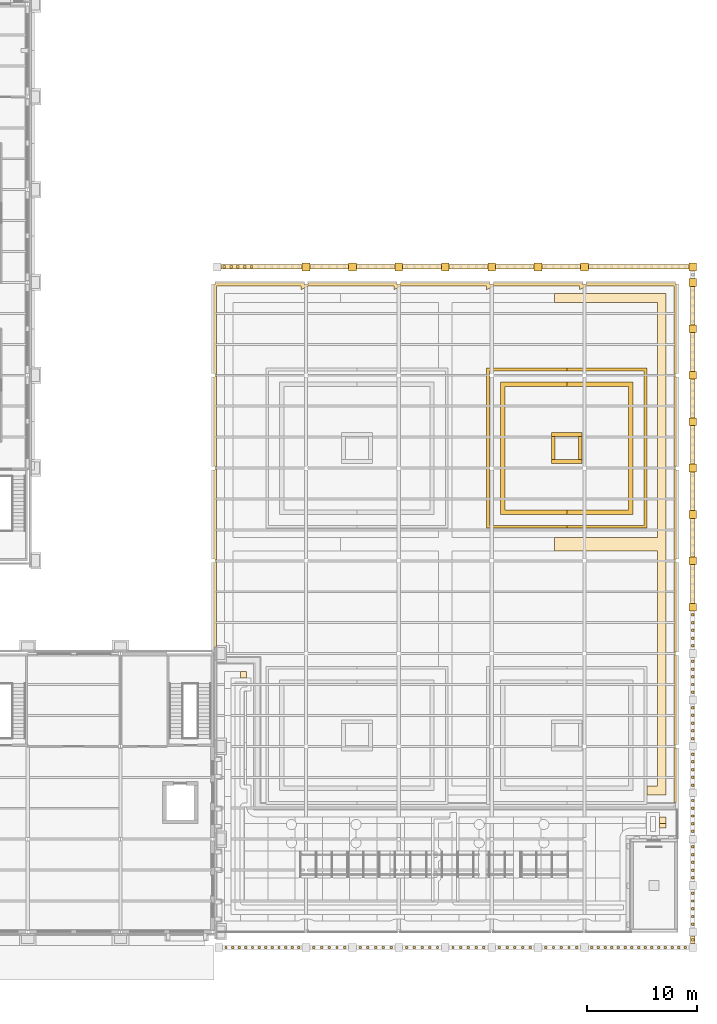
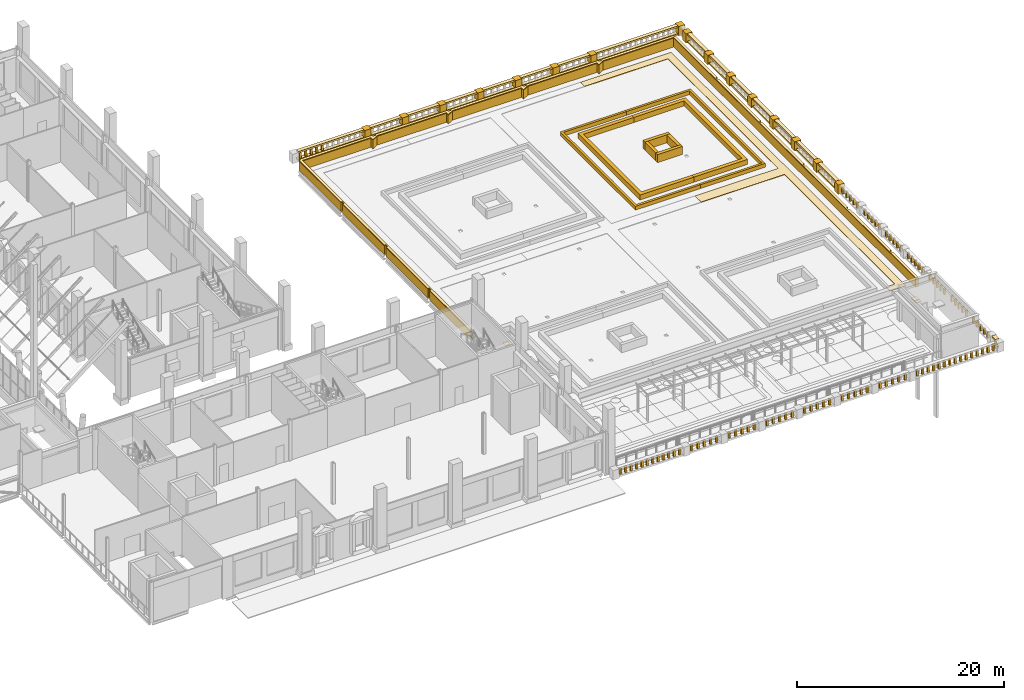
# One storey, part 74 of 76: 160 coverings.
"""IFC4 building model written with IfcOpenShell, lengths in metres."""

from ifc_helpers import new_model, si_unit, direction, frame, origin, origin_2d, place, context, subcontext, project, spatial, polyline, rectangle, outline, extrude, material, layer, layer_set, type_object, element, save


model = new_model("IFC4")

# Units and contexts
model_context = context("Model", 3, precision=1e-05, world=origin(), true_north=direction((0.0, 1.0)))
body_context = subcontext(model_context, "Body", "Model", "MODEL_VIEW")
ifc_project = project(units=[si_unit("LENGTHUNIT", "METRE"), si_unit("AREAUNIT", "SQUARE_METRE"), si_unit("VOLUMEUNIT", "CUBIC_METRE"), si_unit("PLANEANGLEUNIT", "RADIAN"), si_unit("MASSUNIT", "GRAM", prefix="KILO")], contexts=[model_context])

# Site, building, storey
site_placement = place(None, origin())
site = spatial("IfcSite", under=ifc_project, at=site_placement, CompositionType="ELEMENT")
building_placement = place(site_placement, origin())
building = spatial("IfcBuilding", under=site, at=building_placement, Name="Sava Quay Ferry Terminal", CompositionType="ELEMENT")
storey_placement = place(building_placement, frame((0.0, 0.0, 6.0)))
storey = spatial("IfcBuildingStorey", under=building, at=storey_placement, Name="L01", CompositionType="ELEMENT", Elevation=6.0)

# Coverings
ifc_material_1 = material(Name="Limestone Mutalj", Category="masonry")
ifc_layer_1 = layer(ifc_material_1, 0.219970703125)
ifc_layer_set_1 = layer_set([ifc_layer_1], Name="Limestone Mutalj")
covering_type_1 = type_object("IfcCoveringType", Name="Baluster 220", PredefinedType="MOLDING", material=ifc_layer_set_1)
for number, where, z_axis, x_axis, name in (
    (1, (127.14990234375, 23.7900390625, 0.2001953125), (0.0, 0.0, 1.0), (1.0, 0.0, 0.0), "Baluster"),
    (2, (127.75, 23.7900390625, 0.2001953125), (0.0, 0.0, 1.0), (1.0, 0.0, 0.0), "Baluster"),
    (3, (128.35009765625, 23.7900390625, 0.2001953125), (0.0, 0.0, 1.0), (1.0, 0.0, 0.0), "Baluster"),
    (4, (128.949951171875, 23.7900390625, 0.2001953125), (0.0, 0.0, 1.0), (1.0, 0.0, 0.0), "Baluster"),
    (5, (129.550048828125, 23.7900390625, 0.2001953125), (0.0, 0.0, 1.0), (1.0, 0.0, 0.0), "Baluster"),
    (6, (130.14990234375, 23.7900390625, 0.2001953125), (0.0, 0.0, 1.0), (1.0, 0.0, 0.0), "Baluster"),
    (7, (130.75, 23.7900390625, 0.2001953125), (0.0, 0.0, 1.0), (1.0, 0.0, 0.0), "Baluster"),
    (8, (131.35009765625, 23.7900390625, 0.2001953125), (0.0, 0.0, 1.0), (1.0, 0.0, 0.0), "Baluster"),
    (9, (131.949951171875, 23.7900390625, 0.2001953125), (0.0, 0.0, 1.0), (1.0, 0.0, 0.0), "Baluster"),
    (10, (132.550048828125, 23.7900390625, 0.2001953125), (0.0, 0.0, 1.0), (1.0, 0.0, 0.0), "Baluster"),
    (11, (133.14990234375, 23.7900390625, 0.2001953125), (0.0, 0.0, 1.0), (1.0, 0.0, 0.0), "Baluster"),
    (12, (133.75, 23.7900390625, 0.2001953125), (0.0, 0.0, 1.0), (1.0, 0.0, 0.0), "Baluster"),
    (13, (135.10009765625, 23.7900390625, 0.2001953125), (0.0, 0.0, 1.0), (1.0, 0.0, 0.0), "Baluster"),
    (14, (135.800048828125, 23.7900390625, 0.2001953125), (0.0, 0.0, 1.0), (1.0, 0.0, 0.0), "Baluster"),
    (15, (136.5, 23.7900390625, 0.2001953125), (0.0, 0.0, 1.0), (1.0, 0.0, 0.0), "Baluster"),
    (16, (137.199951171875, 23.7900390625, 0.2001953125), (0.0, 0.0, 1.0), (1.0, 0.0, 0.0), "Baluster"),
    (17, (137.89990234375, 23.7900390625, 0.2001953125), (0.0, 0.0, 1.0), (1.0, 0.0, 0.0), "Baluster"),
    (18, (139.300048828125, 23.7900390625, 0.2001953125), (0.0, 0.0, 1.0), (1.0, 0.0, 0.0), "Baluster"),
    (19, (140.0, 23.7900390625, 0.2001953125), (0.0, 0.0, 1.0), (1.0, 0.0, 0.0), "Baluster"),
    (20, (140.699951171875, 23.7900390625, 0.2001953125), (0.0, 0.0, 1.0), (1.0, 0.0, 0.0), "Baluster"),
    (21, (141.39990234375, 23.7900390625, 0.2001953125), (0.0, 0.0, 1.0), (1.0, 0.0, 0.0), "Baluster"),
    (22, (142.10009765625, 23.7900390625, 0.2001953125), (0.0, 0.0, 1.0), (1.0, 0.0, 0.0), "Baluster"),
    (23, (143.5, 23.7900390625, 0.2001953125), (0.0, 0.0, 1.0), (1.0, 0.0, 0.0), "Baluster"),
    (24, (144.199951171875, 23.7900390625, 0.2001953125), (0.0, 0.0, 1.0), (1.0, 0.0, 0.0), "Baluster"),
    (25, (144.89990234375, 23.7900390625, 0.2001953125), (0.0, 0.0, 1.0), (1.0, 0.0, 0.0), "Baluster"),
    (26, (145.60009765625, 23.7900390625, 0.2001953125), (0.0, 0.0, 1.0), (1.0, 0.0, 0.0), "Baluster"),
    (27, (146.300048828125, 23.7900390625, 0.2001953125), (0.0, 0.0, 1.0), (1.0, 0.0, 0.0), "Baluster"),
    (28, (147.699951171875, 23.7900390625, 0.2001953125), (0.0, 0.0, 1.0), (1.0, 0.0, 0.0), "Baluster"),
    (29, (148.39990234375, 23.7900390625, 0.2001953125), (0.0, 0.0, 1.0), (1.0, 0.0, 0.0), "Baluster"),
    (30, (149.10009765625, 23.7900390625, 0.2001953125), (0.0, 0.0, 1.0), (1.0, 0.0, 0.0), "Baluster"),
    (31, (149.800048828125, 23.7900390625, 0.2001953125), (0.0, 0.0, 1.0), (1.0, 0.0, 0.0), "Baluster"),
    (32, (150.5, 23.7900390625, 0.2001953125), (0.0, 0.0, 1.0), (1.0, 0.0, 0.0), "Baluster"),
    (33, (151.89990234375, 23.7900390625, 0.2001953125), (0.0, 0.0, 1.0), (1.0, 0.0, 0.0), "Baluster"),
    (34, (152.60009765625, 23.7900390625, 0.2001953125), (0.0, 0.0, 1.0), (1.0, 0.0, 0.0), "Baluster"),
    (35, (153.300048828125, 23.7900390625, 0.2001953125), (0.0, 0.0, 1.0), (1.0, 0.0, 0.0), "Baluster"),
    (36, (154.0, 23.7900390625, 0.2001953125), (0.0, 0.0, 1.0), (1.0, 0.0, 0.0), "Baluster"),
    (37, (154.699951171875, 23.7900390625, 0.2001953125), (0.0, 0.0, 1.0), (1.0, 0.0, 0.0), "Baluster"),
    (38, (156.10009765625, 23.7900390625, 0.2001953125), (0.0, 0.0, 1.0), (1.0, 0.0, 0.0), "Baluster"),
    (39, (156.800048828125, 23.7900390625, 0.2001953125), (0.0, 0.0, 1.0), (1.0, 0.0, 0.0), "Baluster"),
    (40, (157.5, 23.7900390625, 0.2001953125), (0.0, 0.0, 1.0), (1.0, 0.0, 0.0), "Baluster"),
    (41, (158.199951171875, 23.7900390625, 0.2001953125), (0.0, 0.0, 1.0), (1.0, 0.0, 0.0), "Baluster"),
    (42, (158.89990234375, 23.7900390625, 0.2001953125), (0.0, 0.0, 1.0), (1.0, 0.0, 0.0), "Baluster"),
    (43, (160.25341796875, 23.7900390625, 0.2001953125), (0.0, 0.0, 1.0), (1.0, 0.0, 0.0), "Baluster"),
    (44, (160.860107421875, 23.7900390625, 0.2001953125), (0.0, 0.0, 1.0), (1.0, 0.0, 0.0), "Baluster"),
    (45, (161.466796875, 23.7900390625, 0.2001953125), (0.0, 0.0, 1.0), (1.0, 0.0, 0.0), "Baluster"),
    (46, (162.0732421875, 23.7900390625, 0.2001953125), (0.0, 0.0, 1.0), (1.0, 0.0, 0.0), "Baluster"),
    (47, (162.679931640625, 23.7900390625, 0.2001953125), (0.0, 0.0, 1.0), (1.0, 0.0, 0.0), "Baluster"),
    (48, (163.28662109375, 23.7900390625, 0.2001953125), (0.0, 0.0, 1.0), (1.0, 0.0, 0.0), "Baluster"),
    (49, (163.893310546875, 23.7900390625, 0.2001953125), (0.0, 0.0, 1.0), (1.0, 0.0, 0.0), "Baluster"),
    (50, (164.5, 23.7900390625, 0.2001953125), (0.0, 0.0, 1.0), (1.0, 0.0, 0.0), "Baluster"),
    (51, (165.106689453125, 23.7900390625, 0.2001953125), (0.0, 0.0, 1.0), (1.0, 0.0, 0.0), "Baluster"),
    (52, (165.71337890625, 23.7900390625, 0.2001953125), (0.0, 0.0, 1.0), (1.0, 0.0, 0.0), "Baluster"),
    (53, (166.320068359375, 23.7900390625, 0.2001953125), (0.0, 0.0, 1.0), (1.0, 0.0, 0.0), "Baluster"),
    (54, (166.9267578125, 23.7900390625, 0.2001953125), (0.0, 0.0, 1.0), (1.0, 0.0, 0.0), "Baluster"),
    (55, (167.533203125, 23.7900390625, 0.2001953125), (0.0, 0.0, 1.0), (1.0, 0.0, 0.0), "Baluster"),
    (56, (168.139892578125, 23.7900390625, 0.2001953125), (0.0, 0.0, 1.0), (1.0, 0.0, 0.0), "Baluster"),
    (57, (168.74658203125, 23.7900390625, 0.2001953125), (0.0, 0.0, 1.0), (1.0, 0.0, 0.0), "Baluster"),
    (58, (169.39990234375, 24.4951171875, 0.2001953125), (0.0, 0.0, 1.0), (1.0, 0.0, 0.0), "Baluster"),
    (59, (169.39990234375, 25.89990234375, 0.2001953125), (0.0, 0.0, 1.0), (1.0, 0.0, 0.0), "Baluster"),
    (60, (169.39990234375, 26.60009765625, 0.2001953125), (0.0, 0.0, 1.0), (1.0, 0.0, 0.0), "Baluster"),
    (61, (169.39990234375, 27.300048828125, 0.2001953125), (0.0, 0.0, 1.0), (1.0, 0.0, 0.0), "Baluster"),
    (62, (169.39990234375, 28.0, 0.2001953125), (0.0, 0.0, 1.0), (1.0, 0.0, 0.0), "Baluster"),
    (63, (169.39990234375, 28.699951171875, 0.2001953125), (0.0, 0.0, 1.0), (1.0, 0.0, 0.0), "Baluster"),
    (64, (169.39990234375, 30.10009765625, 0.2001953125), (0.0, 0.0, 1.0), (1.0, 0.0, 0.0), "Baluster"),
    (65, (169.39990234375, 30.800048828125, 0.2001953125), (0.0, 0.0, 1.0), (1.0, 0.0, 0.0), "Baluster"),
    (66, (169.39990234375, 31.5, 0.2001953125), (0.0, 0.0, 1.0), (1.0, 0.0, 0.0), "Baluster"),
    (67, (169.39990234375, 32.199951171875, 0.2001953125), (0.0, 0.0, 1.0), (1.0, 0.0, 0.0), "Baluster"),
    (68, (169.39990234375, 32.89990234375, 0.2001953125), (0.0, 0.0, 1.0), (1.0, 0.0, 0.0), "Baluster"),
    (69, (169.39990234375, 34.300048828125, 0.2001953125), (0.0, 0.0, 1.0), (1.0, 0.0, 0.0), "Baluster"),
    (70, (169.39990234375, 35.0, 0.2001953125), (0.0, 0.0, 1.0), (1.0, 0.0, 0.0), "Baluster"),
    (71, (169.39990234375, 35.699951171875, 0.2001953125), (0.0, 0.0, 1.0), (1.0, 0.0, 0.0), "Baluster"),
    (72, (169.39990234375, 36.39990234375, 0.2001953125), (0.0, 0.0, 1.0), (1.0, 0.0, 0.0), "Baluster"),
    (73, (169.39990234375, 37.10009765625, 0.2001953125), (0.0, 0.0, 1.0), (1.0, 0.0, 0.0), "Baluster"),
    (74, (169.39990234375, 38.5, 0.2001953125), (0.0, 0.0, 1.0), (1.0, 0.0, 0.0), "Baluster"),
    (75, (169.39990234375, 39.199951171875, 0.2001953125), (0.0, 0.0, 1.0), (1.0, 0.0, 0.0), "Baluster"),
    (76, (169.39990234375, 39.89990234375, 0.2001953125), (0.0, 0.0, 1.0), (1.0, 0.0, 0.0), "Baluster"),
    (77, (169.39990234375, 40.60009765625, 0.2001953125), (0.0, 0.0, 1.0), (1.0, 0.0, 0.0), "Baluster"),
    (78, (169.39990234375, 41.300048828125, 0.2001953125), (0.0, 0.0, 1.0), (1.0, 0.0, 0.0), "Baluster"),
    (79, (169.39990234375, 42.699951171875, 0.2001953125), (0.0, 0.0, 1.0), (1.0, 0.0, 0.0), "Baluster"),
    (80, (169.39990234375, 43.39990234375, 0.2001953125), (0.0, 0.0, 1.0), (1.0, 0.0, 0.0), "Baluster"),
    (81, (169.39990234375, 44.10009765625, 0.2001953125), (0.0, 0.0, 1.0), (1.0, 0.0, 0.0), "Baluster"),
    (82, (169.39990234375, 44.800048828125, 0.2001953125), (0.0, 0.0, 1.0), (1.0, 0.0, 0.0), "Baluster"),
    (83, (169.39990234375, 45.5, 0.2001953125), (0.0, 0.0, 1.0), (1.0, 0.0, 0.0), "Baluster"),
    (84, (169.39990234375, 46.89990234375, 0.2001953125), (0.0, 0.0, 1.0), (1.0, 0.0, 0.0), "Baluster"),
    (85, (169.39990234375, 47.60009765625, 0.2001953125), (0.0, 0.0, 1.0), (1.0, 0.0, 0.0), "Baluster"),
    (86, (169.39990234375, 48.300048828125, 0.2001953125), (0.0, 0.0, 1.0), (1.0, 0.0, 0.0), "Baluster"),
    (87, (169.39990234375, 49.0, 0.2001953125), (0.0, 0.0, 1.0), (1.0, 0.0, 0.0), "Baluster"),
    (88, (169.39990234375, 49.699951171875, 0.2001953125), (0.0, 0.0, 1.0), (1.0, 0.0, 0.0), "Baluster"),
    (89, (169.39990234375, 51.10009765625, 0.2001953125), (0.0, 0.0, 1.0), (1.0, 0.0, 0.0), "Baluster"),
    (90, (169.39990234375, 51.800048828125, 0.2001953125), (0.0, 0.0, 1.0), (1.0, 0.0, 0.0), "Baluster"),
    (91, (169.39990234375, 52.5, 0.2001953125), (0.0, 0.0, 1.0), (1.0, 0.0, 0.0), "Baluster"),
    (92, (169.39990234375, 53.199951171875, 0.2001953125), (0.0, 0.0, 1.0), (1.0, 0.0, 0.0), "Baluster"),
    (93, (169.39990234375, 53.89990234375, 0.2001953125), (0.0, 0.0, 1.0), (1.0, 0.0, 0.0), "Baluster"),
    (94, (127.006103515625, 85.409912109375, 0.2001953125), (0.0, 0.0, 1.0), (1.0, 0.0, 0.0), "Baluster"),
    (95, (127.61865234375, 85.409912109375, 0.2001953125), (0.0, 0.0, 1.0), (1.0, 0.0, 0.0), "Baluster"),
    (96, (128.231201171875, 85.409912109375, 0.2001953125), (0.0, 0.0, 1.0), (1.0, 0.0, 0.0), "Baluster"),
    (97, (128.84375, 85.409912109375, 0.2001953125), (0.0, 0.0, 1.0), (1.0, 0.0, 0.0), "Baluster"),
    (98, (129.456298828125, 85.409912109375, 0.2001953125), (0.0, 0.0, 1.0), (1.0, 0.0, 0.0), "Baluster"),
):
    element("IfcCovering", number, at=place(storey_placement, frame(where, z_axis=z_axis, x_axis=x_axis)), inside=storey, type_object=covering_type_1, Name=name, PredefinedType="MOLDING", context=body_context, shape_type="SweptSolid", body=[
        extrude(rectangle(XDim=0.219970703125, YDim=0.219970703125, at=origin_2d()), origin(), (0.0, 0.0, 1.0), 0.699951171875),
    ])
ifc_material_2 = material(Name="Limestone Mutalj", Category="masonry")
ifc_layer_2 = layer(ifc_material_2, 0.699951171875)
ifc_layer_set_2 = layer_set([ifc_layer_2], Name="Limestone Mutalj")
covering_type_2 = type_object("IfcCoveringType", Name="Balustrade pier 700", PredefinedType="MOLDING", material=ifc_layer_set_2)
for number, where, z_axis, x_axis, name in (
    (99, (169.39990234375, 54.60009765625, 0.0), (0.0, 0.0, 1.0), (1.0, 0.0, 0.0), "Balustrade pier"),
    (100, (169.39990234375, 58.800048828125, 0.0), (0.0, 0.0, 1.0), (1.0, 0.0, 0.0), "Balustrade pier"),
    (101, (169.39990234375, 63.0, 0.0), (0.0, 0.0, 1.0), (1.0, 0.0, 0.0), "Balustrade pier"),
    (102, (169.39990234375, 67.199951171875, 0.0), (0.0, 0.0, 1.0), (1.0, 0.0, 0.0), "Balustrade pier"),
    (103, (169.39990234375, 71.39990234375, 0.0), (0.0, 0.0, 1.0), (1.0, 0.0, 0.0), "Balustrade pier"),
    (104, (169.39990234375, 75.60009765625, 0.0), (0.0, 0.0, 1.0), (1.0, 0.0, 0.0), "Balustrade pier"),
    (105, (169.39990234375, 79.800048828125, 0.0), (0.0, 0.0, 1.0), (1.0, 0.0, 0.0), "Balustrade pier"),
    (106, (169.39990234375, 84.0, 0.0), (0.0, 0.0, 1.0), (1.0, 0.0, 0.0), "Balustrade pier"),
    (107, (169.39990234375, 85.409912109375, 0.0), (0.0, 0.0, 1.0), (1.0, 0.0, 0.0), "Balustrade pier"),
    (108, (134.39990234375, 85.409912109375, 0.0), (0.0, 0.0, 1.0), (1.0, 0.0, 0.0), "Balustrade pier"),
    (109, (138.60009765625, 85.409912109375, 0.0), (0.0, 0.0, 1.0), (1.0, 0.0, 0.0), "Balustrade pier"),
    (110, (142.800048828125, 85.409912109375, 0.0), (0.0, 0.0, 1.0), (1.0, 0.0, 0.0), "Balustrade pier"),
    (111, (147.0, 85.409912109375, 0.0), (0.0, 0.0, 1.0), (1.0, 0.0, 0.0), "Balustrade pier"),
    (112, (151.199951171875, 85.409912109375, 0.0), (0.0, 0.0, 1.0), (1.0, 0.0, 0.0), "Balustrade pier"),
    (113, (155.39990234375, 85.409912109375, 0.0), (0.0, 0.0, 1.0), (1.0, 0.0, 0.0), "Balustrade pier"),
    (114, (159.60009765625, 85.409912109375, 0.0), (0.0, 0.0, 1.0), (1.0, 0.0, 0.0), "Balustrade pier"),
):
    element("IfcCovering", number, at=place(storey_placement, frame(where, z_axis=z_axis, x_axis=x_axis)), inside=storey, type_object=covering_type_2, Name=name, PredefinedType="MOLDING", context=body_context, shape_type="SweptSolid", body=[
        extrude(rectangle(XDim=0.699951171875, YDim=0.699951171875, at=origin_2d()), origin(), (0.0, 0.0, 1.0), 1.10009765625),
    ])
ifc_material_3 = material(Name="Limestone Mutalj", Category="masonry")
ifc_layer_3 = layer(ifc_material_3, 0.39990234375)
ifc_layer_set_3 = layer_set([ifc_layer_3], Name="Limestone Mutalj")
covering_type_3 = type_object("IfcCoveringType", Name="Balustrade rail 400", PredefinedType="MOLDING", material=ifc_layer_set_3)
for number, where, z_axis, x_axis, name in (
    (115, (169.39990234375, 24.4951171875, 0.0), (0.0, 0.0, 1.0), (1.0, 0.0, 0.0), "Balustrade rail"),
    (116, (169.39990234375, 24.4951171875, 0.89990234375), (0.0, 0.0, 1.0), (1.0, 0.0, 0.0), "Balustrade rail"),
):
    element("IfcCovering", number, at=place(storey_placement, frame(where, z_axis=z_axis, x_axis=x_axis)), inside=storey, type_object=covering_type_3, Name=name, PredefinedType="MOLDING", context=body_context, shape_type="SweptSolid", body=[
        extrude(rectangle(XDim=0.39990234375, YDim=0.7099609375, at=origin_2d()), origin(), (0.0, 0.0, 1.0), 0.199951171875),
    ])
for number, where, z_axis, x_axis, name in (
    (117, (169.39990234375, 56.699951171875, 0.0), (0.0, 0.0, 1.0), (1.0, 0.0, 0.0), "Balustrade rail"),
    (118, (169.39990234375, 56.699951171875, 0.89990234375), (0.0, 0.0, 1.0), (1.0, 0.0, 0.0), "Balustrade rail"),
    (119, (169.39990234375, 60.89990234375, 0.0), (0.0, 0.0, 1.0), (1.0, 0.0, 0.0), "Balustrade rail"),
    (120, (169.39990234375, 60.89990234375, 0.89990234375), (0.0, 0.0, 1.0), (1.0, 0.0, 0.0), "Balustrade rail"),
    (121, (169.39990234375, 65.10009765625, 0.0), (0.0, 0.0, 1.0), (1.0, 0.0, 0.0), "Balustrade rail"),
    (122, (169.39990234375, 65.10009765625, 0.89990234375), (0.0, 0.0, 1.0), (1.0, 0.0, 0.0), "Balustrade rail"),
    (123, (169.39990234375, 69.300048828125, 0.0), (0.0, 0.0, 1.0), (1.0, 0.0, 0.0), "Balustrade rail"),
    (124, (169.39990234375, 69.300048828125, 0.89990234375), (0.0, 0.0, 1.0), (1.0, 0.0, 0.0), "Balustrade rail"),
    (125, (169.39990234375, 73.5, 0.0), (0.0, 0.0, 1.0), (1.0, 0.0, 0.0), "Balustrade rail"),
    (126, (169.39990234375, 73.5, 0.89990234375), (0.0, 0.0, 1.0), (1.0, 0.0, 0.0), "Balustrade rail"),
    (127, (169.39990234375, 77.699951171875, 0.0), (0.0, 0.0, 1.0), (1.0, 0.0, 0.0), "Balustrade rail"),
    (128, (169.39990234375, 77.699951171875, 0.89990234375), (0.0, 0.0, 1.0), (1.0, 0.0, 0.0), "Balustrade rail"),
    (129, (169.39990234375, 81.89990234375, 0.0), (0.0, 0.0, 1.0), (1.0, 0.0, 0.0), "Balustrade rail"),
    (130, (169.39990234375, 81.89990234375, 0.89990234375), (0.0, 0.0, 1.0), (1.0, 0.0, 0.0), "Balustrade rail"),
):
    element("IfcCovering", number, at=place(storey_placement, frame(where, z_axis=z_axis, x_axis=x_axis)), inside=storey, type_object=covering_type_3, Name=name, PredefinedType="MOLDING", context=body_context, shape_type="SweptSolid", body=[
        extrude(rectangle(XDim=0.39990234375, YDim=3.5, at=origin_2d()), origin(), (0.0, 0.0, 1.0), 0.199951171875),
    ])
for number, where, z_axis, x_axis, name in (
    (131, (130.375, 85.409912109375, 0.0), (0.0, 0.0, 1.0), (1.0, 0.0, 0.0), "Balustrade rail"),
    (132, (130.375, 85.409912109375, 0.89990234375), (0.0, 0.0, 1.0), (1.0, 0.0, 0.0), "Balustrade rail"),
):
    element("IfcCovering", number, at=place(storey_placement, frame(where, z_axis=z_axis, x_axis=x_axis)), inside=storey, type_object=covering_type_3, Name=name, PredefinedType="MOLDING", context=body_context, shape_type="SweptSolid", body=[
        extrude(rectangle(XDim=7.35009765625, YDim=0.39990234375, at=origin_2d()), origin(), (0.0, 0.0, 1.0), 0.199951171875),
    ])
for number, where, z_axis, x_axis, name in (
    (133, (136.5, 85.409912109375, 0.0), (0.0, 0.0, 1.0), (1.0, 0.0, 0.0), "Balustrade rail"),
    (134, (136.5, 85.409912109375, 0.89990234375), (0.0, 0.0, 1.0), (1.0, 0.0, 0.0), "Balustrade rail"),
    (135, (140.699951171875, 85.409912109375, 0.0), (0.0, 0.0, 1.0), (1.0, 0.0, 0.0), "Balustrade rail"),
    (136, (140.699951171875, 85.409912109375, 0.89990234375), (0.0, 0.0, 1.0), (1.0, 0.0, 0.0), "Balustrade rail"),
    (137, (144.89990234375, 85.409912109375, 0.0), (0.0, 0.0, 1.0), (1.0, 0.0, 0.0), "Balustrade rail"),
    (138, (144.89990234375, 85.409912109375, 0.89990234375), (0.0, 0.0, 1.0), (1.0, 0.0, 0.0), "Balustrade rail"),
    (139, (149.10009765625, 85.409912109375, 0.0), (0.0, 0.0, 1.0), (1.0, 0.0, 0.0), "Balustrade rail"),
    (140, (149.10009765625, 85.409912109375, 0.89990234375), (0.0, 0.0, 1.0), (1.0, 0.0, 0.0), "Balustrade rail"),
    (141, (153.300048828125, 85.409912109375, 0.0), (0.0, 0.0, 1.0), (1.0, 0.0, 0.0), "Balustrade rail"),
    (142, (153.300048828125, 85.409912109375, 0.89990234375), (0.0, 0.0, 1.0), (1.0, 0.0, 0.0), "Balustrade rail"),
    (143, (157.5, 85.409912109375, 0.0), (0.0, 0.0, 1.0), (1.0, 0.0, 0.0), "Balustrade rail"),
    (144, (157.5, 85.409912109375, 0.89990234375), (0.0, 0.0, 1.0), (1.0, 0.0, 0.0), "Balustrade rail"),
):
    element("IfcCovering", number, at=place(storey_placement, frame(where, z_axis=z_axis, x_axis=x_axis)), inside=storey, type_object=covering_type_3, Name=name, PredefinedType="MOLDING", context=body_context, shape_type="SweptSolid", body=[
        extrude(rectangle(XDim=3.5, YDim=0.39990234375, at=origin_2d()), origin(), (0.0, 0.0, 1.0), 0.199951171875),
    ])
for number, where, z_axis, x_axis, name in (
    (145, (164.5, 85.409912109375, 0.0), (0.0, 0.0, 1.0), (1.0, 0.0, 0.0), "Balustrade rail"),
    (146, (164.5, 85.409912109375, 0.89990234375), (0.0, 0.0, 1.0), (1.0, 0.0, 0.0), "Balustrade rail"),
):
    element("IfcCovering", number, at=place(storey_placement, frame(where, z_axis=z_axis, x_axis=x_axis)), inside=storey, type_object=covering_type_3, Name=name, PredefinedType="MOLDING", context=body_context, shape_type="SweptSolid", body=[
        extrude(rectangle(XDim=9.10009765625, YDim=0.39990234375, at=origin_2d()), origin(), (0.0, 0.0, 1.0), 0.199951171875),
    ])
ifc_material_4 = material(Name="Foliage clipped hedge")
ifc_layer_4 = layer(ifc_material_4, 0.39990234375)
ifc_layer_set_4 = layer_set([ifc_layer_4], Name="Foliage clipped hedge")
covering_type_4 = type_object("IfcCoveringType", Name="Box hedge 400 from the slab", PredefinedType="CLADDING", material=ifc_layer_set_4)
covering_1_placement = place(storey_placement, origin())
element("IfcCovering", 147, at=covering_1_placement, inside=storey, type_object=covering_type_4, Name="Box hedge", PredefinedType="CLADDING", context=body_context, shape_type="SweptSolid", body=[
    extrude(outline(polyline([(152.0, 63.0), (158.0, 63.0), (158.0, 63.39990234375), (152.39990234375, 63.39990234375), (152.39990234375, 74.60009765625), (158.0, 74.60009765625), (158.0, 75.0), (152.0, 75.0), (152.0, 63.0)])), origin(), (0.0, 0.0, 1.0), 0.60009765625),
])
covering_2_placement = place(storey_placement, origin())
element("IfcCovering", 148, at=covering_2_placement, inside=storey, type_object=covering_type_4, Name="Box hedge", PredefinedType="CLADDING", context=body_context, shape_type="SweptSolid", body=[
    extrude(outline(polyline([(164.0, 63.0), (164.0, 75.0), (158.0, 75.0), (158.0, 74.60009765625), (163.60009765625, 74.60009765625), (163.60009765625, 63.39990234375), (158.0, 63.39990234375), (158.0, 63.0), (164.0, 63.0)])), origin(), (0.0, 0.0, 1.0), 0.60009765625),
])
ifc_material_5 = material(Name="Limestone Mutalj", Category="masonry")
ifc_layer_5 = layer(ifc_material_5, 0.030029296875)
ifc_layer_set_5 = layer_set([ifc_layer_5], Name="Limestone Mutalj")
covering_type_5 = type_object("IfcCoveringType", Name="Court paving tile 30", PredefinedType="FLOORING", material=ifc_layer_set_5)
covering_3_placement = place(storey_placement, origin())
element("IfcCovering", 149, at=covering_3_placement, inside=storey, type_object=covering_type_5, Name="Limestone paving tile", PredefinedType="FLOORING", context=body_context, shape_type="SweptSolid", body=[
    extrude(outline(polyline([(128.470947265625, 48.800048828125), (128.470947265625, 48.2099609375), (129.0, 48.2099609375), (129.0, 48.800048828125), (128.470947265625, 48.800048828125)])), origin(), (0.0, 0.0, 1.0), 0.030029296875),
])
covering_4_placement = place(storey_placement, origin())
element("IfcCovering", 150, at=covering_4_placement, inside=storey, type_object=covering_type_5, Name="Limestone paving tile", PredefinedType="FLOORING", context=body_context, shape_type="SweptSolid", body=[
    extrude(outline(polyline([(166.409912109375, 35.0), (167.0, 35.0), (167.0, 35.60009765625), (166.409912109375, 35.60009765625), (166.409912109375, 35.0)])), origin(), (0.0, 0.0, 1.0), 0.030029296875),
])
ifc_material_6 = material(Name="Red sandstone Vrsac", Category="masonry")
ifc_layer_6 = layer(ifc_material_6, 0.030029296875)
ifc_layer_set_6 = layer_set([ifc_layer_6], Name="Red sandstone Vrsac")
covering_type_6 = type_object("IfcCoveringType", Name="Court paving tile sandstone 30", PredefinedType="FLOORING", material=ifc_layer_set_6)
covering_5_placement = place(storey_placement, origin())
element("IfcCovering", 151, at=covering_5_placement, inside=storey, type_object=covering_type_6, Name="Sandstone paving tile", PredefinedType="FLOORING", context=body_context, shape_type="SweptSolid", body=[
    extrude(outline(polyline([(167.0, 35.0), (166.409912109375, 35.0), (166.409912109375, 34.60009765625), (167.0, 34.60009765625), (167.0, 35.0)])), origin(), (0.0, 0.0, 1.0), 0.030029296875),
])
ifc_material_7 = material(Name="Limestone Mutalj", Category="masonry")
ifc_layer_7 = layer(ifc_material_7, 0.300048828125)
ifc_layer_set_7 = layer_set([ifc_layer_7], Name="Limestone Mutalj")
covering_type_7 = type_object("IfcCoveringType", Name="Green roof parapet 300", PredefinedType="CLADDING", material=ifc_layer_set_7)
covering_6_placement = place(storey_placement, origin())
element("IfcCovering", 152, at=covering_6_placement, inside=storey, type_object=covering_type_7, Name="Green roof parapet", PredefinedType="CLADDING", context=body_context, shape_type="SweptSolid", body=[
    extrude(outline(polyline([(159.8349609375, 83.699951171875), (167.699951171875, 83.699951171875), (167.699951171875, 36.93994140625), (168.0, 36.93994140625), (168.0, 41.830078125), (167.840087890625, 41.830078125), (167.840087890625, 42.169921875), (168.0, 42.169921875), (168.0, 50.22998046875), (167.840087890625, 50.22998046875), (167.840087890625, 50.570068359375), (168.0, 50.570068359375), (168.0, 58.6298828125), (167.840087890625, 58.6298828125), (167.840087890625, 58.969970703125), (168.0, 58.969970703125), (168.0, 67.030029296875), (167.840087890625, 67.030029296875), (167.840087890625, 67.3701171875), (168.0, 67.3701171875), (168.0, 75.429931640625), (167.840087890625, 75.429931640625), (167.840087890625, 75.77001953125), (168.0, 75.77001953125), (168.0, 83.830078125), (167.840087890625, 83.830078125), (167.840087890625, 84.0), (159.760009765625, 84.0), (159.760009765625, 83.830078125), (159.43994140625, 83.830078125), (159.43994140625, 84.0), (151.360107421875, 84.0), (151.360107421875, 83.830078125), (151.0400390625, 83.830078125), (151.0400390625, 84.0), (142.9599609375, 84.0), (142.9599609375, 83.830078125), (142.639892578125, 83.830078125), (142.639892578125, 84.0), (134.56005859375, 84.0), (134.56005859375, 83.830078125), (134.239990234375, 83.830078125), (134.239990234375, 84.0), (126.159912109375, 84.0), (126.159912109375, 83.830078125), (126.0, 83.830078125), (126.0, 75.77001953125), (126.159912109375, 75.77001953125), (126.159912109375, 75.429931640625), (126.0, 75.429931640625), (126.0, 67.3701171875), (126.159912109375, 67.3701171875), (126.159912109375, 67.030029296875), (126.0, 67.030029296875), (126.0, 58.969970703125), (126.159912109375, 58.969970703125), (126.159912109375, 58.6298828125), (126.0, 58.6298828125), (126.0, 50.830078125), (126.10009765625, 50.830078125), (126.10009765625, 51.0), (126.300048828125, 51.0), (126.300048828125, 83.699951171875), (133.93994140625, 83.699951171875), (133.93994140625, 83.3310546875), (134.635009765625, 83.699951171875), (142.340087890625, 83.699951171875), (142.340087890625, 83.3310546875), (143.034912109375, 83.699951171875), (150.739990234375, 83.699951171875), (150.739990234375, 83.3310546875), (151.43505859375, 83.699951171875), (159.139892578125, 83.699951171875), (159.139892578125, 83.3310546875), (159.8349609375, 83.699951171875)])), origin(), (0.0, 0.0, 1.0), 1.050048828125),
])
ifc_material_8 = material(Name="Limestone Mutalj", Category="masonry")
ifc_layer_8 = layer(ifc_material_8, 0.300048828125)
ifc_layer_set_8 = layer_set([ifc_layer_8], Name="Limestone Mutalj")
covering_type_8 = type_object("IfcCoveringType", Name="Green roof parapet coping 300", PredefinedType="MOLDING", material=ifc_layer_set_8)
covering_7_placement = place(storey_placement, frame((0.0, 0.0, 1.050048828125)))
element("IfcCovering", 153, at=covering_7_placement, inside=storey, type_object=covering_type_8, Name="Green roof parapet coping", PredefinedType="MOLDING", context=body_context, shape_type="SweptSolid", body=[
    extrude(outline(polyline([(159.8349609375, 83.699951171875), (167.699951171875, 83.699951171875), (167.699951171875, 36.93994140625), (168.0, 36.93994140625), (168.0, 41.830078125), (167.840087890625, 41.830078125), (167.840087890625, 42.169921875), (168.0, 42.169921875), (168.0, 50.22998046875), (167.840087890625, 50.22998046875), (167.840087890625, 50.570068359375), (168.0, 50.570068359375), (168.0, 58.6298828125), (167.840087890625, 58.6298828125), (167.840087890625, 58.969970703125), (168.0, 58.969970703125), (168.0, 67.030029296875), (167.840087890625, 67.030029296875), (167.840087890625, 67.3701171875), (168.0, 67.3701171875), (168.0, 75.429931640625), (167.840087890625, 75.429931640625), (167.840087890625, 75.77001953125), (168.0, 75.77001953125), (168.0, 83.830078125), (167.840087890625, 83.830078125), (167.840087890625, 84.0), (159.760009765625, 84.0), (159.760009765625, 83.830078125), (159.43994140625, 83.830078125), (159.43994140625, 84.0), (151.360107421875, 84.0), (151.360107421875, 83.830078125), (151.0400390625, 83.830078125), (151.0400390625, 84.0), (142.9599609375, 84.0), (142.9599609375, 83.830078125), (142.639892578125, 83.830078125), (142.639892578125, 84.0), (134.56005859375, 84.0), (134.56005859375, 83.830078125), (134.239990234375, 83.830078125), (134.239990234375, 84.0), (126.159912109375, 84.0), (126.159912109375, 83.830078125), (126.0, 83.830078125), (126.0, 75.77001953125), (126.159912109375, 75.77001953125), (126.159912109375, 75.429931640625), (126.0, 75.429931640625), (126.0, 67.3701171875), (126.159912109375, 67.3701171875), (126.159912109375, 67.030029296875), (126.0, 67.030029296875), (126.0, 58.969970703125), (126.159912109375, 58.969970703125), (126.159912109375, 58.6298828125), (126.0, 58.6298828125), (126.0, 50.830078125), (126.10009765625, 50.830078125), (126.10009765625, 51.0), (126.300048828125, 51.0), (126.300048828125, 83.699951171875), (133.93994140625, 83.699951171875), (133.93994140625, 83.3310546875), (134.635009765625, 83.699951171875), (142.340087890625, 83.699951171875), (142.340087890625, 83.3310546875), (143.034912109375, 83.699951171875), (150.739990234375, 83.699951171875), (150.739990234375, 83.3310546875), (151.43505859375, 83.699951171875), (159.139892578125, 83.699951171875), (159.139892578125, 83.3310546875), (159.8349609375, 83.699951171875)])), origin(), (0.0, 0.0, 1.0), 0.079833984375),
])
ifc_material_9 = material(Name="Limestone Mutalj", Category="masonry")
ifc_layer_9 = layer(ifc_material_9, 0.25)
ifc_layer_set_9 = layer_set([ifc_layer_9], Name="Limestone Mutalj")
covering_type_9 = type_object("IfcCoveringType", Name="Planter kerb 250", PredefinedType="CLADDING", material=ifc_layer_set_9)
covering_8_placement = place(storey_placement, origin())
element("IfcCovering", 154, at=covering_8_placement, inside=storey, type_object=covering_type_9, Name="Planter kerb", PredefinedType="CLADDING", context=body_context, shape_type="SweptSolid", body=[
    extrude(outline(polyline([(150.75, 76.25), (150.75, 61.75), (158.0, 61.75), (158.0, 62.0), (151.0, 62.0), (151.0, 76.0), (158.0, 76.0), (158.0, 76.25), (150.75, 76.25)])), origin(), (0.0, 0.0, 1.0), 0.449951171875),
])
covering_9_placement = place(storey_placement, origin())
element("IfcCovering", 155, at=covering_9_placement, inside=storey, type_object=covering_type_9, Name="Planter kerb", PredefinedType="CLADDING", context=body_context, shape_type="SweptSolid", body=[
    extrude(outline(polyline([(165.25, 76.25), (158.0, 76.25), (158.0, 76.0), (165.0, 76.0), (165.0, 62.0), (158.0, 62.0), (158.0, 61.75), (165.25, 61.75), (165.25, 76.25)])), origin(), (0.0, 0.0, 1.0), 0.449951171875),
])
ifc_material_10 = material(Name="Limestone Mutalj", Category="masonry")
ifc_layer_10 = layer(ifc_material_10, 0.050048828125)
ifc_layer_set_10 = layer_set([ifc_layer_10], Name="Limestone Mutalj")
covering_type_10 = type_object("IfcCoveringType", Name="Stone paving band 50", PredefinedType="FLOORING", material=ifc_layer_set_10)
covering_10_placement = place(storey_placement, origin())
element("IfcCovering", 156, at=covering_10_placement, inside=storey, type_object=covering_type_10, Name="Stone paving band", PredefinedType="FLOORING", context=body_context, shape_type="SweptSolid", body=[
    extrude(outline(polyline([(167.0, 83.0), (156.89990234375, 83.0), (156.89990234375, 82.199951171875), (166.199951171875, 82.199951171875), (166.199951171875, 60.89990234375), (156.89990234375, 60.89990234375), (156.89990234375, 59.699951171875), (166.199951171875, 59.699951171875), (166.199951171875, 38.39990234375), (165.25, 38.39990234375), (165.25, 37.60009765625), (167.0, 37.60009765625), (167.0, 83.0)])), origin(), (0.0, 0.0, 1.0), 0.050048828125),
])
ifc_material_11 = material(Name="Limestone Mutalj", Category="masonry")
ifc_layer_11 = layer(ifc_material_11, 0.35009765625)
ifc_layer_set_11 = layer_set([ifc_layer_11], Name="Limestone Mutalj")
covering_type_11 = type_object("IfcCoveringType", Name="Tree pit kerb 350", PredefinedType="CLADDING", material=ifc_layer_set_11)
for number, where, z_axis, x_axis, name in (
    (157, (158.0, 70.22509765625, 0.0), (0.0, 0.0, 1.0), (1.0, 0.0, 0.0), "Tree pit kerb"),
    (158, (158.0, 67.77490234375, 0.0), (0.0, 0.0, 1.0), (1.0, 0.0, 0.0), "Tree pit kerb"),
):
    element("IfcCovering", number, at=place(storey_placement, frame(where, z_axis=z_axis, x_axis=x_axis)), inside=storey, type_object=covering_type_11, Name=name, PredefinedType="CLADDING", context=body_context, shape_type="SweptSolid", body=[
        extrude(rectangle(XDim=2.800048828125, YDim=0.35009765625, at=origin_2d()), origin(), (0.0, 0.0, 1.0), 0.949951171875),
    ])
for number, where, z_axis, x_axis, name in (
    (159, (159.22509765625, 69.0, 0.0), (0.0, 0.0, 1.0), (1.0, 0.0, 0.0), "Tree pit kerb"),
    (160, (156.77490234375, 69.0, 0.0), (0.0, 0.0, 1.0), (1.0, 0.0, 0.0), "Tree pit kerb"),
):
    element("IfcCovering", number, at=place(storey_placement, frame(where, z_axis=z_axis, x_axis=x_axis)), inside=storey, type_object=covering_type_11, Name=name, PredefinedType="CLADDING", context=body_context, shape_type="SweptSolid", body=[
        extrude(rectangle(XDim=0.35009765625, YDim=2.10009765625, at=origin_2d()), origin(), (0.0, 0.0, 1.0), 0.949951171875),
    ])

save(model, "model.ifc")
